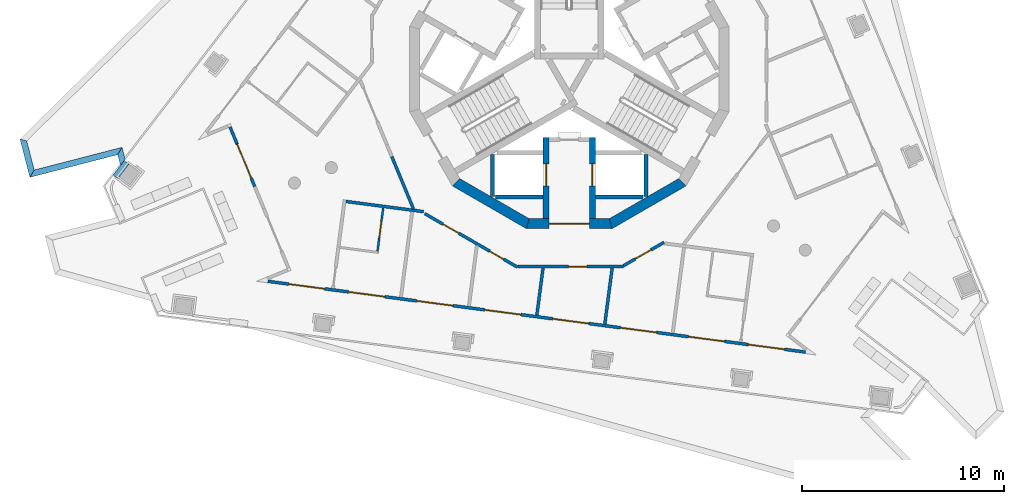
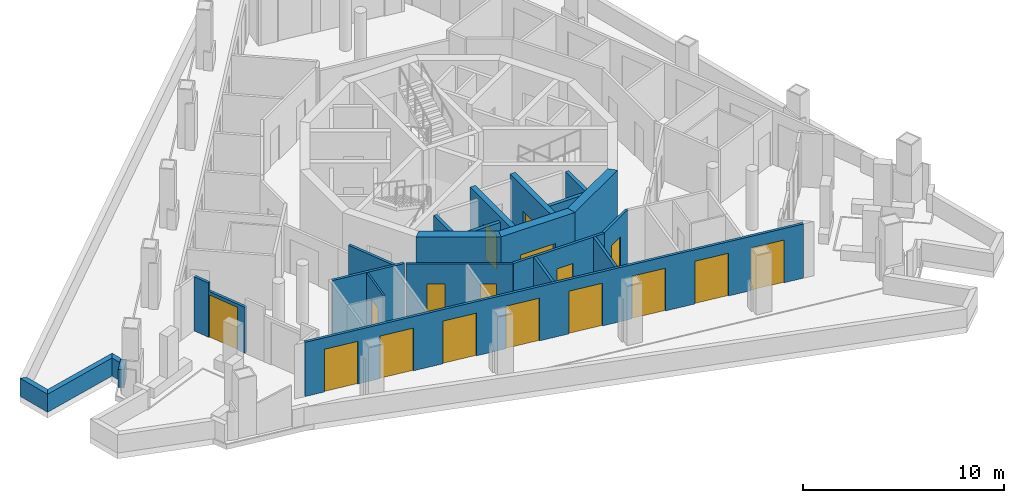
# One storey, part 2 of 12: 24 walls, 17 doors, 17 openings.
"""IFC4 building model written with IfcOpenShell, lengths in metres."""

from ifc_helpers import new_model, si_unit, direction, frame, frame_2d, origin, place, context, subcontext, project, spatial, polyline, rectangle, outline, extrude, material, layer, layer_set, type_object, element, fill, save


model = new_model("IFC4")

# Units and contexts
model_context = context("Model", 3, precision=1e-05, world=origin(), true_north=direction((0.0, 1.0)))
body_context = subcontext(model_context, "Body", "Model", "MODEL_VIEW")
ifc_project = project(units=[si_unit("LENGTHUNIT", "METRE"), si_unit("AREAUNIT", "SQUARE_METRE"), si_unit("VOLUMEUNIT", "CUBIC_METRE"), si_unit("PLANEANGLEUNIT", "RADIAN"), si_unit("MASSUNIT", "GRAM", prefix="KILO")], contexts=[model_context])

# Site, building, storey
site_placement = place(None, origin())
site = spatial("IfcSite", under=ifc_project, at=site_placement, CompositionType="ELEMENT")
building_placement = place(site_placement, origin())
building = spatial("IfcBuilding", under=site, at=building_placement, Name="Trine Commons Tower", CompositionType="ELEMENT")
storey_placement = place(building_placement, frame((0.0, 0.0, 271.800048828125)))
storey = spatial("IfcBuildingStorey", under=building, at=storey_placement, Name="L71", CompositionType="ELEMENT", Elevation=271.800048828125)

# Wall, openings, doors
ifc_material_1 = material(Name="Aluminium-framed insulated wall panel", Category="aluminium")
ifc_layer_1 = layer(ifc_material_1, 0.14990234375)
ifc_layer_set_1 = layer_set([ifc_layer_1], Name="Aluminium-framed insulated wall panel")
wall_type_1 = type_object("IfcWallType", Name="Glazed frame wall 150, EI 60", PredefinedType="SOLIDWALL", material=ifc_layer_set_1)
wall_1_placement = place(storey_placement, frame((91.869140625, 48.4384765625, 0.0), z_axis=(0.0, 0.0, 1.0), x_axis=(-0.991445282789, 0.130522991213, 0.0)))
wall_1 = element("IfcWall", 1, at=wall_1_placement, inside=storey, type_object=wall_type_1, Name="Glazed frame wall F3", PredefinedType="SOLIDWALL", context=body_context, shape_type="SweptSolid", body=[
    extrude(outline(polyline([(0.1494140625, 0.074951171875), (0.1494140625, -0.074951171875), (27.056884765625, -0.074951171875), (27.056884765625, 0.074951171875), (0.1494140625, 0.074951171875)])), origin(), (0.0, 0.0, 1.0), 3.300048828125),
])
opening_1_placement = place(wall_1_placement, frame((1.200439453125, 0.0, 0.0)))
opening_1 = element("IfcOpeningElement", 2, at=opening_1_placement, cuts=wall_1, Name="Opening BD-8F3-01", PredefinedType="OPENING", context=body_context, shape_type="SweptSolid", body=[
    extrude(rectangle(XDim=1.800048828125, YDim=2.60009765625, at=frame_2d((0.89990234375, 1.300048828125))), frame((0.0, 0.0849609375, 0.0), z_axis=(0.0, -1.0, 0.0), x_axis=(1.0, 0.0, 0.0)), (0.0, 0.0, 1.0), 0.169921875),
])
opening_2_placement = place(wall_1_placement, frame((4.201171875, 0.0, 0.0)))
opening_2 = element("IfcOpeningElement", 3, at=opening_2_placement, cuts=wall_1, Name="Opening BD-8F3-02", PredefinedType="OPENING", context=body_context, shape_type="SweptSolid", body=[
    extrude(rectangle(XDim=1.800048828125, YDim=2.60009765625, at=frame_2d((0.89990234375, 1.300048828125))), frame((0.0, 0.0849609375, 0.0), z_axis=(0.0, -1.0, 0.0), x_axis=(1.0, 0.0, 0.0)), (0.0, 0.0, 1.0), 0.169921875),
])
opening_3_placement = place(wall_1_placement, frame((7.60205078125, 0.0, 0.0)))
opening_3 = element("IfcOpeningElement", 4, at=opening_3_placement, cuts=wall_1, Name="Opening BD-8F3-03", PredefinedType="OPENING", context=body_context, shape_type="SweptSolid", body=[
    extrude(rectangle(XDim=1.800048828125, YDim=2.60009765625, at=frame_2d((0.89990234375, 1.300048828125))), frame((0.0, 0.0849609375, 0.0), z_axis=(0.0, -1.0, 0.0), x_axis=(1.0, 0.0, 0.0)), (0.0, 0.0, 1.0), 0.169921875),
])
opening_4_placement = place(wall_1_placement, frame((11.002685546875, 0.0, 0.0)))
opening_4 = element("IfcOpeningElement", 5, at=opening_4_placement, cuts=wall_1, Name="Opening BD-8F3-04", PredefinedType="OPENING", context=body_context, shape_type="SweptSolid", body=[
    extrude(rectangle(XDim=1.800048828125, YDim=2.60009765625, at=frame_2d((0.89990234375, 1.300048828125))), frame((0.0, 0.0849609375, 0.0), z_axis=(0.0, -1.0, 0.0), x_axis=(1.0, 0.0, 0.0)), (0.0, 0.0, 1.0), 0.169921875),
])
opening_5_placement = place(wall_1_placement, frame((14.403564453125, 0.0, 0.0)))
opening_5 = element("IfcOpeningElement", 6, at=opening_5_placement, cuts=wall_1, Name="Opening BD-8F3-05", PredefinedType="OPENING", context=body_context, shape_type="SweptSolid", body=[
    extrude(rectangle(XDim=1.800048828125, YDim=2.60009765625, at=frame_2d((0.89990234375, 1.300048828125))), frame((0.0, 0.0849609375, 0.0), z_axis=(0.0, -1.0, 0.0), x_axis=(1.0, 0.0, 0.0)), (0.0, 0.0, 1.0), 0.169921875),
])
opening_6_placement = place(wall_1_placement, frame((17.804443359375, 0.0, 0.0)))
opening_6 = element("IfcOpeningElement", 7, at=opening_6_placement, cuts=wall_1, Name="Opening BD-8F3-06", PredefinedType="OPENING", context=body_context, shape_type="SweptSolid", body=[
    extrude(rectangle(XDim=1.800048828125, YDim=2.60009765625, at=frame_2d((0.89990234375, 1.300048828125))), frame((0.0, 0.0849609375, 0.0), z_axis=(0.0, -1.0, 0.0), x_axis=(1.0, 0.0, 0.0)), (0.0, 0.0, 1.0), 0.169921875),
])
opening_7_placement = place(wall_1_placement, frame((21.205078125, 0.0, 0.0)))
opening_7 = element("IfcOpeningElement", 8, at=opening_7_placement, cuts=wall_1, Name="Opening BD-8F3-07", PredefinedType="OPENING", context=body_context, shape_type="SweptSolid", body=[
    extrude(rectangle(XDim=1.800048828125, YDim=2.60009765625, at=frame_2d((0.89990234375, 1.300048828125))), frame((0.0, 0.0849609375, 0.0), z_axis=(0.0, -1.0, 0.0), x_axis=(1.0, 0.0, 0.0)), (0.0, 0.0, 1.0), 0.169921875),
])
opening_8_placement = place(wall_1_placement, frame((24.2060546875, 0.0, 0.0)))
opening_8 = element("IfcOpeningElement", 9, at=opening_8_placement, cuts=wall_1, Name="Opening BD-8F3-08", PredefinedType="OPENING", context=body_context, shape_type="SweptSolid", body=[
    extrude(rectangle(XDim=1.800048828125, YDim=2.60009765625, at=frame_2d((0.89990234375, 1.300048828125))), frame((0.0, 0.0849609375, 0.0), z_axis=(0.0, -1.0, 0.0), x_axis=(1.0, 0.0, 0.0)), (0.0, 0.0, 1.0), 0.169921875),
])
ifc_material_2 = material(Name="Anodised aluminium frame with double glazing", Category="aluminium")
door_type_1 = type_object("IfcDoorType", Name="Sliding loggia door 1800x2600", OperationType="SLIDING_TO_LEFT", PredefinedType="DOOR", material=ifc_material_2)
door_1_placement = place(opening_1_placement, origin())
door_1 = element("IfcDoor", 10, at=door_1_placement, inside=storey, type_object=door_type_1, Name="Loggia door F3 1", OperationType="SLIDING_TO_LEFT", OverallHeight=2.60009765625, OverallWidth=1.800048828125, PredefinedType="DOOR", context=body_context, shape_type="SweptSolid", body=[
    extrude(rectangle(XDim=1.800048828125, YDim=2.60009765625, at=frame_2d((0.89990234375, 1.300048828125))), frame((0.0, 0.02490234375, 0.0), z_axis=(0.0, -1.0, 0.0), x_axis=(1.0, 0.0, 0.0)), (0.0, 0.0, 1.0), 0.050048828125),
])
fill(opening_1, door_1)
door_2_placement = place(opening_2_placement, origin())
door_2 = element("IfcDoor", 11, at=door_2_placement, inside=storey, type_object=door_type_1, Name="Loggia door F3 2", OperationType="SLIDING_TO_LEFT", OverallHeight=2.60009765625, OverallWidth=1.800048828125, PredefinedType="DOOR", context=body_context, shape_type="SweptSolid", body=[
    extrude(rectangle(XDim=1.800048828125, YDim=2.60009765625, at=frame_2d((0.89990234375, 1.300048828125))), frame((0.0, 0.02490234375, 0.0), z_axis=(0.0, -1.0, 0.0), x_axis=(1.0, 0.0, 0.0)), (0.0, 0.0, 1.0), 0.050048828125),
])
fill(opening_2, door_2)
door_3_placement = place(opening_3_placement, origin())
door_3 = element("IfcDoor", 12, at=door_3_placement, inside=storey, type_object=door_type_1, Name="Loggia door F3 3", OperationType="SLIDING_TO_LEFT", OverallHeight=2.60009765625, OverallWidth=1.800048828125, PredefinedType="DOOR", context=body_context, shape_type="SweptSolid", body=[
    extrude(rectangle(XDim=1.800048828125, YDim=2.60009765625, at=frame_2d((0.89990234375, 1.300048828125))), frame((0.0, 0.02490234375, 0.0), z_axis=(0.0, -1.0, 0.0), x_axis=(1.0, 0.0, 0.0)), (0.0, 0.0, 1.0), 0.050048828125),
])
fill(opening_3, door_3)
door_4_placement = place(opening_4_placement, origin())
door_4 = element("IfcDoor", 13, at=door_4_placement, inside=storey, type_object=door_type_1, Name="Loggia door F3 4", OperationType="SLIDING_TO_LEFT", OverallHeight=2.60009765625, OverallWidth=1.800048828125, PredefinedType="DOOR", context=body_context, shape_type="SweptSolid", body=[
    extrude(rectangle(XDim=1.800048828125, YDim=2.60009765625, at=frame_2d((0.89990234375, 1.300048828125))), frame((0.0, 0.02490234375, 0.0), z_axis=(0.0, -1.0, 0.0), x_axis=(1.0, 0.0, 0.0)), (0.0, 0.0, 1.0), 0.050048828125),
])
fill(opening_4, door_4)
door_5_placement = place(opening_5_placement, origin())
door_5 = element("IfcDoor", 14, at=door_5_placement, inside=storey, type_object=door_type_1, Name="Loggia door F3 5", OperationType="SLIDING_TO_LEFT", OverallHeight=2.60009765625, OverallWidth=1.800048828125, PredefinedType="DOOR", context=body_context, shape_type="SweptSolid", body=[
    extrude(rectangle(XDim=1.800048828125, YDim=2.60009765625, at=frame_2d((0.89990234375, 1.300048828125))), frame((0.0, 0.02490234375, 0.0), z_axis=(0.0, -1.0, 0.0), x_axis=(1.0, 0.0, 0.0)), (0.0, 0.0, 1.0), 0.050048828125),
])
fill(opening_5, door_5)
door_6_placement = place(opening_6_placement, origin())
door_6 = element("IfcDoor", 15, at=door_6_placement, inside=storey, type_object=door_type_1, Name="Loggia door F3 6", OperationType="SLIDING_TO_LEFT", OverallHeight=2.60009765625, OverallWidth=1.800048828125, PredefinedType="DOOR", context=body_context, shape_type="SweptSolid", body=[
    extrude(rectangle(XDim=1.800048828125, YDim=2.60009765625, at=frame_2d((0.89990234375, 1.300048828125))), frame((0.0, 0.02490234375, 0.0), z_axis=(0.0, -1.0, 0.0), x_axis=(1.0, 0.0, 0.0)), (0.0, 0.0, 1.0), 0.050048828125),
])
fill(opening_6, door_6)
door_7_placement = place(opening_7_placement, origin())
door_7 = element("IfcDoor", 16, at=door_7_placement, inside=storey, type_object=door_type_1, Name="Loggia door F3 7", OperationType="SLIDING_TO_LEFT", OverallHeight=2.60009765625, OverallWidth=1.800048828125, PredefinedType="DOOR", context=body_context, shape_type="SweptSolid", body=[
    extrude(rectangle(XDim=1.800048828125, YDim=2.60009765625, at=frame_2d((0.89990234375, 1.300048828125))), frame((0.0, 0.02490234375, 0.0), z_axis=(0.0, -1.0, 0.0), x_axis=(1.0, 0.0, 0.0)), (0.0, 0.0, 1.0), 0.050048828125),
])
fill(opening_7, door_7)
door_8_placement = place(opening_8_placement, origin())
door_8 = element("IfcDoor", 17, at=door_8_placement, inside=storey, type_object=door_type_1, Name="Loggia door F3 8", OperationType="SLIDING_TO_LEFT", OverallHeight=2.60009765625, OverallWidth=1.800048828125, PredefinedType="DOOR", context=body_context, shape_type="SweptSolid", body=[
    extrude(rectangle(XDim=1.800048828125, YDim=2.60009765625, at=frame_2d((0.89990234375, 1.300048828125))), frame((0.0, 0.02490234375, 0.0), z_axis=(0.0, -1.0, 0.0), x_axis=(1.0, 0.0, 0.0)), (0.0, 0.0, 1.0), 0.050048828125),
])
fill(opening_8, door_8)

# Wall, opening, door
wall_2_placement = place(storey_placement, frame((64.392578125, 56.673095703125, 0.0), z_axis=(0.0, 0.0, 1.0), x_axis=(-0.382693948857, 0.923875176368, 0.0)))
wall_2 = element("IfcWall", 18, at=wall_2_placement, inside=storey, type_object=wall_type_1, Name="Glazed frame wall P3.4", PredefinedType="SOLIDWALL", context=body_context, shape_type="SweptSolid", body=[
    extrude(outline(polyline([(0.0, -0.074951171875), (2.310546875, -0.074951171875), (2.310546875, 0.074951171875), (0.0, 0.074951171875), (0.0, -0.074951171875)])), origin(), (0.0, 0.0, 1.0), 2.800048828125),
])
opening_9_placement = place(wall_2_placement, frame((0.460693359375, 0.0, 0.0)))
opening_9 = element("IfcOpeningElement", 19, at=opening_9_placement, cuts=wall_2, Name="Opening BD-8P3-02", PredefinedType="OPENING", context=body_context, shape_type="SweptSolid", body=[
    extrude(rectangle(XDim=1.800048828125, YDim=2.60009765625, at=frame_2d((0.89990234375, 1.300048828125))), frame((0.0, 0.0849609375, 0.0), z_axis=(0.0, -1.0, 0.0), x_axis=(1.0, 0.0, 0.0)), (0.0, 0.0, 1.0), 0.169921875),
])
door_9_placement = place(opening_9_placement, origin())
door_9 = element("IfcDoor", 20, at=door_9_placement, inside=storey, type_object=door_type_1, Name="Loggia door P3 2", OperationType="SLIDING_TO_LEFT", OverallHeight=2.60009765625, OverallWidth=1.800048828125, PredefinedType="DOOR", context=body_context, shape_type="SweptSolid", body=[
    extrude(rectangle(XDim=1.800048828125, YDim=2.60009765625, at=frame_2d((0.89990234375, 1.300048828125))), frame((0.0, 0.02490234375, 0.0), z_axis=(0.0, -1.0, 0.0), x_axis=(1.0, 0.0, 0.0)), (0.0, 0.0, 1.0), 0.050048828125),
])
fill(opening_9, door_9)

# Wall
wall_3_placement = place(storey_placement, frame((63.50830078125, 58.807861328125, 0.0), z_axis=(0.0, 0.0, 1.0), x_axis=(-0.382603377961, 0.923912688068, 0.0)))
element("IfcWall", 21, at=wall_3_placement, inside=storey, type_object=wall_type_1, Name="Glazed frame wall P3.5", PredefinedType="SOLIDWALL", context=body_context, shape_type="SweptSolid", body=[
    extrude(outline(polyline([(0.889892578125, 0.074951171875), (0.0, 0.074951171875), (0.0, -0.074951171875), (0.889892578125, -0.074951171875), (0.889892578125, 0.074951171875)])), origin(), (0.0, 0.0, 1.0), 3.300048828125),
])

# Wall, opening, door
ifc_material_3 = material(Name="Concrete C50/60", Category="concrete")
ifc_layer_2 = layer(ifc_material_3, 0.300048828125)
ifc_layer_set_2 = layer_set([ifc_layer_2], Name="Concrete C50/60")
wall_type_2 = type_object("IfcWallType", Name="RC shear wall 300 mm, C50/60", PredefinedType="SHEAR", material=ifc_layer_set_2)
wall_4_placement = place(storey_placement, frame((78.85009765625, 59.10009765625, 0.0), z_axis=(0.0, 0.0, 1.0), x_axis=(0.0, -1.0, 0.0)))
wall_4 = element("IfcWall", 22, at=wall_4_placement, inside=storey, type_object=wall_type_2, Name="Core cross wall SWD-03 L71", PredefinedType="SHEAR", context=body_context, shape_type="SweptSolid", body=[
    extrude(rectangle(XDim=4.02099609375, YDim=0.300048828125, at=frame_2d((2.010498046875, 0.0))), origin(), (0.0, 0.0, 1.0), 3.599853515625),
])
opening_10_placement = place(wall_4_placement, frame((1.300048828125, 0.0, 0.0)))
opening_10 = element("IfcOpeningElement", 23, at=opening_10_placement, cuts=wall_4, Name="Opening LD10", PredefinedType="OPENING", context=body_context, shape_type="SweptSolid", body=[
    extrude(rectangle(XDim=1.10009765625, YDim=2.10009765625, at=frame_2d((0.550048828125, 1.050048828125))), frame((0.0, 0.159912109375, 0.0), z_axis=(0.0, -1.0, 0.0), x_axis=(1.0, 0.0, 0.0)), (0.0, 0.0, 1.0), 0.320068359375),
])
ifc_material_4 = material(Name="Stainless steel sliding door leaves", Category="steel")
door_type_2 = type_object("IfcDoorType", Name="Lift landing door, centre-opening sliding 1100 x 2100, FD90", OperationType="DOUBLE_DOOR_SLIDING", PredefinedType="DOOR", material=ifc_material_4)
door_10_placement = place(opening_10_placement, origin())
door_10 = element("IfcDoor", 24, at=door_10_placement, inside=storey, type_object=door_type_2, Name="Lift landing door FF2 L71", OperationType="DOUBLE_DOOR_SLIDING", OverallHeight=2.10009765625, OverallWidth=1.10009765625, PredefinedType="DOOR", context=body_context, shape_type="SweptSolid", body=[
    extrude(rectangle(XDim=1.10009765625, YDim=2.10009765625, at=frame_2d((0.550048828125, 1.050048828125))), frame((0.0, 0.02490234375, 0.0), z_axis=(0.0, -1.0, 0.0), x_axis=(1.0, 0.0, 0.0)), (0.0, 0.0, 1.0), 0.050048828125),
])
fill(opening_10, door_10)

wall_5_placement = place(storey_placement, frame((81.14990234375, 59.10009765625, 0.0), z_axis=(0.0, 0.0, 1.0), x_axis=(0.0, -1.0, 0.0)))
wall_5 = element("IfcWall", 25, at=wall_5_placement, inside=storey, type_object=wall_type_2, Name="Core cross wall SWD-04 L71", PredefinedType="SHEAR", context=body_context, shape_type="SweptSolid", body=[
    extrude(rectangle(XDim=4.02099609375, YDim=0.300048828125, at=frame_2d((2.010498046875, 0.0))), origin(), (0.0, 0.0, 1.0), 3.599853515625),
])
opening_11_placement = place(wall_5_placement, frame((1.300048828125, 0.0, 0.0)))
opening_11 = element("IfcOpeningElement", 26, at=opening_11_placement, cuts=wall_5, Name="Opening LD9", PredefinedType="OPENING", context=body_context, shape_type="SweptSolid", body=[
    extrude(rectangle(XDim=1.10009765625, YDim=2.10009765625, at=frame_2d((0.550048828125, 1.050048828125))), frame((0.0, 0.159912109375, 0.0), z_axis=(0.0, -1.0, 0.0), x_axis=(1.0, 0.0, 0.0)), (0.0, 0.0, 1.0), 0.320068359375),
])
door_11_placement = place(opening_11_placement, origin())
door_11 = element("IfcDoor", 27, at=door_11_placement, inside=storey, type_object=door_type_2, Name="Lift landing door FF1 L71", OperationType="DOUBLE_DOOR_SLIDING", OverallHeight=2.10009765625, OverallWidth=1.10009765625, PredefinedType="DOOR", context=body_context, shape_type="SweptSolid", body=[
    extrude(rectangle(XDim=1.10009765625, YDim=2.10009765625, at=frame_2d((0.550048828125, 1.050048828125))), frame((0.0, 0.02490234375, 0.0), z_axis=(0.0, -1.0, 0.0), x_axis=(1.0, 0.0, 0.0)), (0.0, 0.0, 1.0), 0.050048828125),
])
fill(opening_11, door_11)

# Wall
ifc_layer_3 = layer(ifc_material_3, 0.5)
ifc_layer_set_3 = layer_set([ifc_layer_3], Name="Concrete C50/60")
wall_type_3 = type_object("IfcWallType", Name="RC shear wall 500 mm, C50/60", PredefinedType="SHEAR", material=ifc_layer_set_3)
wall_6_placement = place(storey_placement, frame((74.32666015625, 56.918212890625, 0.0), z_axis=(0.0, 0.0, 1.0), x_axis=(0.866029463428, -0.499992968425, 0.0)))
element("IfcWall", 28, at=wall_6_placement, inside=storey, type_object=wall_type_3, Name="Core wall CWH-09 L71", PredefinedType="SHEAR", context=body_context, shape_type="SweptSolid", body=[
    extrude(outline(polyline([(0.0, -0.25), (4.24462890625, -0.25), (4.110595703125, 0.25), (0.134033203125, 0.25), (0.0, -0.25)])), origin(), (0.0, 0.0, 1.0), 3.599853515625),
])

# Wall, opening, door
wall_7_placement = place(storey_placement, frame((77.877685546875, 54.829345703125, 0.0), z_axis=(0.0, 0.0, 1.0), x_axis=(1.0, 0.0, 0.0)))
wall_7 = element("IfcWall", 29, at=wall_7_placement, inside=storey, type_object=wall_type_3, Name="Core wall CWH-10 L71", PredefinedType="SHEAR", context=body_context, shape_type="SweptSolid", body=[
    extrude(outline(polyline([(0.0, -0.25), (4.24462890625, -0.25), (4.110595703125, 0.25), (0.134033203125, 0.25), (0.0, -0.25)])), origin(), (0.0, 0.0, 1.0), 3.599853515625),
])
opening_12_placement = place(wall_7_placement, frame((1.122314453125, 0.0, 0.0)))
opening_12 = element("IfcOpeningElement", 30, at=opening_12_placement, cuts=wall_7, Name="Opening K19.08", PredefinedType="OPENING", context=body_context, shape_type="SweptSolid", body=[
    extrude(rectangle(XDim=2.0, YDim=2.10009765625, at=frame_2d((1.0, 1.050048828125))), frame((0.0, 0.260009765625, 0.0), z_axis=(0.0, -1.0, 0.0), x_axis=(1.0, 0.0, 0.0)), (0.0, 0.0, 1.0), 0.52001953125),
])
ifc_material_5 = material(Name="Steel door leaves, fire-rated", Category="steel")
door_type_3 = type_object("IfcDoorType", Name="Lobby door, double leaf 2000 x 2100, FD60", OperationType="DOUBLE_DOOR_SINGLE_SWING", PredefinedType="DOOR", material=ifc_material_5)
door_12_placement = place(opening_12_placement, origin())
door_12 = element("IfcDoor", 31, at=door_12_placement, inside=storey, type_object=door_type_3, Name="Lobby door, Service and firefighting lobby L71", OperationType="DOUBLE_DOOR_SINGLE_SWING", OverallHeight=2.10009765625, OverallWidth=2.0, PredefinedType="DOOR", context=body_context, shape_type="SweptSolid", body=[
    extrude(rectangle(XDim=2.0, YDim=2.10009765625, at=frame_2d((1.0, 1.050048828125))), frame((0.0, 0.02490234375, 0.0), z_axis=(0.0, -1.0, 0.0), x_axis=(1.0, 0.0, 0.0)), (0.0, 0.0, 1.0), 0.050048828125),
])
fill(opening_12, door_12)

# Walls
wall_8_placement = place(storey_placement, frame((81.997314453125, 54.7958984375, 0.0), z_axis=(0.0, 0.0, 1.0), x_axis=(0.866029463428, 0.499992968425, 0.0)))
element("IfcWall", 32, at=wall_8_placement, inside=storey, type_object=wall_type_3, Name="Core wall CWH-11 L71", PredefinedType="SHEAR", context=body_context, shape_type="SweptSolid", body=[
    extrude(outline(polyline([(0.0, -0.25), (4.24462890625, -0.25), (4.110595703125, 0.25), (0.134033203125, 0.25), (0.0, -0.25)])), origin(), (0.0, 0.0, 1.0), 3.599853515625),
])
ifc_material_6 = material(Name="Fire-rated gypsum shaft wall system")
ifc_layer_4 = layer(ifc_material_6, 0.199951171875)
ifc_layer_set_4 = layer_set([ifc_layer_4], Name="Fire-rated gypsum shaft wall system")
wall_type_4 = type_object("IfcWallType", Name="Shaft wall 200 mm, EI 120", PredefinedType="PARTITIONING", material=ifc_layer_set_4)
wall_9_placement = place(storey_placement, frame((76.199951171875, 58.257080078125, 0.0), z_axis=(0.0, 0.0, 1.0), x_axis=(0.0, -1.0, 0.0)))
element("IfcWall", 33, at=wall_9_placement, inside=storey, type_object=wall_type_4, Name="Shaft wall L71", PredefinedType="PARTITIONING", context=body_context, shape_type="SweptSolid", body=[
    extrude(rectangle(XDim=2.073974609375, YDim=0.199951171875, at=frame_2d((1.037109375, 0.0))), origin(), (0.0, 0.0, 1.0), 3.300048828125),
])
for number, where, z_axis, x_axis, name in (
    (34, (78.699951171875, 56.14990234375, 0.0), (0.0, 0.0, 1.0), (-1.0, 0.0, 0.0), "Shaft wall L71"),
    (35, (81.300048828125, 56.14990234375, 0.0), (0.0, 0.0, 1.0), (1.0, 0.0, 0.0), "Shaft wall L71"),
):
    element("IfcWall", number, at=place(storey_placement, frame(where, z_axis=z_axis, x_axis=x_axis)), inside=storey, type_object=wall_type_4, Name=name, PredefinedType="PARTITIONING", context=body_context, shape_type="SweptSolid", body=[
        extrude(rectangle(XDim=2.368896484375, YDim=0.199951171875, at=frame_2d((1.1845703125, 0.0))), origin(), (0.0, 0.0, 1.0), 3.300048828125),
    ])
wall_10_placement = place(storey_placement, frame((83.800048828125, 58.257080078125, 0.0), z_axis=(0.0, 0.0, 1.0), x_axis=(0.0, -1.0, 0.0)))
element("IfcWall", 36, at=wall_10_placement, inside=storey, type_object=wall_type_4, Name="Shaft wall L71", PredefinedType="PARTITIONING", context=body_context, shape_type="SweptSolid", body=[
    extrude(rectangle(XDim=2.073974609375, YDim=0.199951171875, at=frame_2d((1.037109375, 0.0))), origin(), (0.0, 0.0, 1.0), 3.300048828125),
])
ifc_material_7 = material(Name="Limestone, honed", Category="masonry")
ifc_layer_5 = layer(ifc_material_7, 0.300048828125)
ifc_layer_set_5 = layer_set([ifc_layer_5], Name="Limestone, honed")
wall_type_5 = type_object("IfcWallType", Name="Stone parapet 300", PredefinedType="PARAPET", material=ifc_layer_set_5)
wall_11_placement = place(storey_placement, origin())
element("IfcWall", 37, at=wall_11_placement, inside=storey, type_object=wall_type_5, Name="Sliver roof parapet L70 2.2", PredefinedType="PARAPET", context=body_context, shape_type="SweptSolid", body=[
    extrude(outline(polyline([(52.745361328125, 59.029541015625), (53.2373046875, 57.1279296875), (53.452392578125, 57.49365234375), (53.0791015625, 58.93701171875), (52.745361328125, 59.029541015625)])), origin(), (0.0, 0.0, 1.0), 1.099853515625),
])
wall_12_placement = place(storey_placement, origin())
element("IfcWall", 38, at=wall_12_placement, inside=storey, type_object=wall_type_5, Name="Sliver roof parapet L70 2.3", PredefinedType="PARAPET", context=body_context, shape_type="SweptSolid", body=[
    extrude(outline(polyline([(53.2373046875, 57.1279296875), (57.593994140625, 58.254638671875), (57.809326171875, 58.620361328125), (53.452392578125, 57.49365234375), (53.2373046875, 57.1279296875)])), origin(), (0.0, 0.0, 1.0), 1.099853515625),
])
wall_13_placement = place(storey_placement, origin())
element("IfcWall", 39, at=wall_13_placement, inside=storey, type_object=wall_type_5, Name="Sliver roof parapet L70 2.4", PredefinedType="PARAPET", context=body_context, shape_type="SweptSolid", body=[
    extrude(outline(polyline([(57.593994140625, 58.254638671875), (57.73193359375, 57.720703125), (57.963623046875, 58.02294921875), (57.809326171875, 58.620361328125), (57.593994140625, 58.254638671875)])), origin(), (0.0, 0.0, 1.0), 1.099853515625),
])
wall_14_placement = place(storey_placement, origin())
element("IfcWall", 40, at=wall_14_placement, inside=storey, type_object=wall_type_5, Name="Sliver roof parapet extension L70 2.X2", PredefinedType="PARAPET", context=body_context, shape_type="SweptSolid", body=[
    extrude(outline(polyline([(58.152587890625, 57.776123046875), (57.91455078125, 57.958740234375), (57.36669921875, 57.244873046875), (57.604736328125, 57.062255859375), (58.152587890625, 57.776123046875)])), origin(), (0.0, 0.0, 1.0), 1.099853515625),
])
ifc_material_8 = material(Name="Gypsum plasterboard on steel stud", Category="steel")
ifc_layer_6 = layer(ifc_material_8, 0.14990234375)
ifc_layer_set_6 = layer_set([ifc_layer_6], Name="Gypsum plasterboard on steel stud")
wall_type_6 = type_object("IfcWallType", Name="Unit and corridor wall 150 mm, EI 60", PredefinedType="PARTITIONING", material=ifc_layer_set_6)
wall_15_placement = place(storey_placement, frame((68.92041015625, 55.93310546875, 0.0), z_axis=(0.0, 0.0, 1.0), x_axis=(0.991448734514, -0.130496769429, 0.0)))
element("IfcWall", 41, at=wall_15_placement, inside=storey, type_object=wall_type_6, Name="Partition 010", PredefinedType="PARTITIONING", context=body_context, shape_type="SweptSolid", body=[
    extrude(rectangle(XDim=3.8857421875, YDim=0.14990234375, at=frame_2d((1.94287109375, 0.0))), origin(), (0.0, 0.0, 1.0), 3.300048828125),
])
wall_16_placement = place(storey_placement, frame((71.196044921875, 58.157958984375, 0.0), z_axis=(0.0, 0.0, 1.0), x_axis=(0.382668413767, -0.923885753275, 0.0)))
element("IfcWall", 42, at=wall_16_placement, inside=storey, type_object=wall_type_6, Name="Partition 019", PredefinedType="PARTITIONING", context=body_context, shape_type="SweptSolid", body=[
    extrude(rectangle(XDim=2.81494140625, YDim=0.14990234375, at=frame_2d((1.407470703125, 0.0))), origin(), (0.0, 0.0, 1.0), 3.300048828125),
])

# Wall, openings, doors
wall_17_placement = place(storey_placement, frame((72.8291015625, 55.3291015625, 0.0), z_axis=(0.0, 0.0, 1.0), x_axis=(0.865982457891, -0.500074377092, 0.0)))
wall_17 = element("IfcWall", 43, at=wall_17_placement, inside=storey, type_object=wall_type_6, Name="Partition 023", PredefinedType="PARTITIONING", context=body_context, shape_type="SweptSolid", body=[
    extrude(rectangle(XDim=5.324462890625, YDim=0.14990234375, at=frame_2d((2.662109375, 0.0))), origin(), (0.0, 0.0, 1.0), 3.300048828125),
])
opening_13_placement = place(wall_17_placement, frame((3.72509765625, 0.0, 0.0)))
opening_13 = element("IfcOpeningElement", 44, at=opening_13_placement, cuts=wall_17, Name="Opening D-8A17", PredefinedType="OPENING", context=body_context, shape_type="SweptSolid", body=[
    extrude(rectangle(XDim=0.800048828125, YDim=2.10009765625, at=frame_2d((0.39990234375, 1.050048828125))), frame((0.0, 0.0849609375, 0.0), z_axis=(0.0, -1.0, 0.0), x_axis=(1.0, 0.0, 0.0)), (0.0, 0.0, 1.0), 0.169921875),
])
opening_14_placement = place(wall_17_placement, frame((1.05029296875, 0.0, 0.0)))
opening_14 = element("IfcOpeningElement", 45, at=opening_14_placement, cuts=wall_17, Name="Opening D-8A18", PredefinedType="OPENING", context=body_context, shape_type="SweptSolid", body=[
    extrude(rectangle(XDim=0.89990234375, YDim=2.10009765625, at=frame_2d((0.449951171875, 1.050048828125))), frame((0.0, 0.0849609375, 0.0), z_axis=(0.0, -1.0, 0.0), x_axis=(1.0, 0.0, 0.0)), (0.0, 0.0, 1.0), 0.169921875),
])
ifc_material_9 = material(Name="Timber fire door set", Category="wood")
door_type_4 = type_object("IfcDoorType", Name="Service door 900 x 2100, FD30S", OperationType="NOTDEFINED", PredefinedType="DOOR", material=ifc_material_9)
door_13_placement = place(opening_14_placement, frame((0.89990234375, 0.0, 0.0), z_axis=(0.0, 0.0, 1.0), x_axis=(-1.0, 0.0, 0.0)))
door_13 = element("IfcDoor", 46, at=door_13_placement, inside=storey, type_object=door_type_4, Name="Door D-8A18", OperationType="SINGLE_SWING_RIGHT", OverallHeight=2.10009765625, OverallWidth=0.89990234375, PredefinedType="DOOR", context=body_context, shape_type="SweptSolid", body=[
    extrude(rectangle(XDim=0.89990234375, YDim=2.10009765625, at=frame_2d((0.449951171875, 1.050048828125))), frame((0.0, 0.02490234375, 0.0), z_axis=(0.0, -1.0, 0.0), x_axis=(1.0, 0.0, 0.0)), (0.0, 0.0, 1.0), 0.050048828125),
])
fill(opening_14, door_13)
ifc_material_10 = material(Name="Painted timber", Category="wood")
door_type_5 = type_object("IfcDoorType", Name="Toilet door 800 x 2100, NOT RATED", OperationType="NOTDEFINED", PredefinedType="DOOR", material=ifc_material_10)
door_14_placement = place(opening_13_placement, frame((0.800048828125, 0.0, 0.0), z_axis=(0.0, 0.0, 1.0), x_axis=(-1.0, 0.0, 0.0)))
door_14 = element("IfcDoor", 47, at=door_14_placement, inside=storey, type_object=door_type_5, Name="Door D-8A17", OperationType="SINGLE_SWING_LEFT", OverallHeight=2.10009765625, OverallWidth=0.800048828125, PredefinedType="DOOR", context=body_context, shape_type="SweptSolid", body=[
    extrude(rectangle(XDim=0.800048828125, YDim=2.10009765625, at=frame_2d((0.39990234375, 1.050048828125))), frame((0.0, 0.02490234375, 0.0), z_axis=(0.0, -1.0, 0.0), x_axis=(1.0, 0.0, 0.0)), (0.0, 0.0, 1.0), 0.050048828125),
])
fill(opening_13, door_14)

# Wall, opening, door
wall_18_placement = place(storey_placement, frame((77.449951171875, 52.7041015625, 0.0), z_axis=(0.0, 0.0, 1.0), x_axis=(1.0, 0.0, 0.0)))
wall_18 = element("IfcWall", 48, at=wall_18_placement, inside=storey, type_object=wall_type_6, Name="Partition 027", PredefinedType="PARTITIONING", context=body_context, shape_type="SweptSolid", body=[
    extrude(rectangle(XDim=5.25, YDim=0.14990234375, at=frame_2d((2.625, 0.0))), origin(), (0.0, 0.0, 1.0), 3.300048828125),
])
opening_15_placement = place(wall_18_placement, frame((2.52490234375, 0.0, 0.0)))
opening_15 = element("IfcOpeningElement", 49, at=opening_15_placement, cuts=wall_18, Name="Opening D-8A16", PredefinedType="OPENING", context=body_context, shape_type="SweptSolid", body=[
    extrude(rectangle(XDim=0.89990234375, YDim=2.10009765625, at=frame_2d((0.449951171875, 1.050048828125))), frame((0.0, 0.0849609375, 0.0), z_axis=(0.0, -1.0, 0.0), x_axis=(1.0, 0.0, 0.0)), (0.0, 0.0, 1.0), 0.169921875),
])
door_15_placement = place(opening_15_placement, frame((0.89990234375, 0.0, 0.0), z_axis=(0.0, 0.0, 1.0), x_axis=(-1.0, 0.0, 0.0)))
door_15 = element("IfcDoor", 50, at=door_15_placement, inside=storey, type_object=door_type_4, Name="Door D-8A16", OperationType="SINGLE_SWING_LEFT", OverallHeight=2.10009765625, OverallWidth=0.89990234375, PredefinedType="DOOR", context=body_context, shape_type="SweptSolid", body=[
    extrude(rectangle(XDim=0.89990234375, YDim=2.10009765625, at=frame_2d((0.449951171875, 1.050048828125))), frame((0.0, 0.02490234375, 0.0), z_axis=(0.0, -1.0, 0.0), x_axis=(1.0, 0.0, 0.0)), (0.0, 0.0, 1.0), 0.050048828125),
])
fill(opening_15, door_15)

# Walls
wall_19_placement = place(storey_placement, frame((78.39208984375, 50.288818359375, 0.0), z_axis=(0.0, 0.0, 1.0), x_axis=(0.130497310501, 0.991448663296, 0.0)))
element("IfcWall", 51, at=wall_19_placement, inside=storey, type_object=wall_type_6, Name="Partition 030", PredefinedType="PARTITIONING", context=body_context, shape_type="SweptSolid", body=[
    extrude(rectangle(XDim=2.361083984375, YDim=0.14990234375, at=frame_2d((1.1806640625, 0.0))), origin(), (0.0, 0.0, 1.0), 3.300048828125),
])
wall_20_placement = place(storey_placement, frame((81.76416015625, 49.8447265625, 0.0), z_axis=(0.0, 0.0, 1.0), x_axis=(0.130290377986, 0.991475878377, 0.0)))
element("IfcWall", 52, at=wall_20_placement, inside=storey, type_object=wall_type_6, Name="Partition 031", PredefinedType="PARTITIONING", context=body_context, shape_type="SweptSolid", body=[
    extrude(rectangle(XDim=2.808837890625, YDim=0.14990234375, at=frame_2d((1.404296875, 0.0))), origin(), (0.0, 0.0, 1.0), 3.300048828125),
])

# Wall, opening, door
wall_21_placement = place(storey_placement, frame((82.68994140625, 52.741455078125, 0.0), z_axis=(0.0, 0.0, 1.0), x_axis=(0.865980532278, 0.500077711676, 0.0)))
wall_21 = element("IfcWall", 53, at=wall_21_placement, inside=storey, type_object=wall_type_6, Name="Partition 032", PredefinedType="PARTITIONING", context=body_context, shape_type="SweptSolid", body=[
    extrude(rectangle(XDim=2.320068359375, YDim=0.14990234375, at=frame_2d((1.16015625, 0.0))), origin(), (0.0, 0.0, 1.0), 3.300048828125),
])
opening_16_placement = place(wall_21_placement, frame((0.672607421875, 0.0, 0.0)))
opening_16 = element("IfcOpeningElement", 54, at=opening_16_placement, cuts=wall_21, Name="Opening D-8A15", PredefinedType="OPENING", context=body_context, shape_type="SweptSolid", body=[
    extrude(rectangle(XDim=0.89990234375, YDim=2.10009765625, at=frame_2d((0.449951171875, 1.050048828125))), frame((0.0, 0.0849609375, 0.0), z_axis=(0.0, -1.0, 0.0), x_axis=(1.0, 0.0, 0.0)), (0.0, 0.0, 1.0), 0.169921875),
])
door_16_placement = place(opening_16_placement, frame((0.89990234375, 0.0, 0.0), z_axis=(0.0, 0.0, 1.0), x_axis=(-1.0, 0.0, 0.0)))
door_16 = element("IfcDoor", 55, at=door_16_placement, inside=storey, type_object=door_type_4, Name="Door D-8A15", OperationType="SINGLE_SWING_RIGHT", OverallHeight=2.10009765625, OverallWidth=0.89990234375, PredefinedType="DOOR", context=body_context, shape_type="SweptSolid", body=[
    extrude(rectangle(XDim=0.89990234375, YDim=2.10009765625, at=frame_2d((0.449951171875, 1.050048828125))), frame((0.0, 0.02490234375, 0.0), z_axis=(0.0, -1.0, 0.0), x_axis=(1.0, 0.0, 0.0)), (0.0, 0.0, 1.0), 0.050048828125),
])
fill(opening_16, door_16)

ifc_layer_7 = layer(ifc_material_8, 0.10009765625)
ifc_layer_set_7 = layer_set([ifc_layer_7], Name="Gypsum plasterboard on steel stud")
wall_type_7 = type_object("IfcWallType", Name="Unit partition 100 mm, no rating", PredefinedType="PARTITIONING", material=ifc_layer_set_7)
wall_22_placement = place(storey_placement, frame((70.485595703125, 53.45751953125, 0.0), z_axis=(0.0, 0.0, 1.0), x_axis=(0.130457416757, 0.991453913409, 0.0)))
wall_22 = element("IfcWall", 56, at=wall_22_placement, inside=storey, type_object=wall_type_7, Name="Partition 017", PredefinedType="PARTITIONING", context=body_context, shape_type="SweptSolid", body=[
    extrude(rectangle(XDim=2.174560546875, YDim=0.10009765625, at=frame_2d((1.08740234375, 0.0))), origin(), (0.0, 0.0, 1.0), 3.300048828125),
])
opening_17_placement = place(wall_22_placement, frame((0.687255859375, 0.0, 0.0)))
opening_17 = element("IfcOpeningElement", 57, at=opening_17_placement, cuts=wall_22, Name="Opening D-8A23", PredefinedType="OPENING", context=body_context, shape_type="SweptSolid", body=[
    extrude(rectangle(XDim=0.800048828125, YDim=2.10009765625, at=frame_2d((0.39990234375, 1.050048828125))), frame((0.0, 0.06005859375, 0.0), z_axis=(0.0, -1.0, 0.0), x_axis=(1.0, 0.0, 0.0)), (0.0, 0.0, 1.0), 0.1201171875),
])
door_type_6 = type_object("IfcDoorType", Name="Internal door 800 x 2100, NOT RATED", OperationType="NOTDEFINED", PredefinedType="DOOR", material=ifc_material_10)
door_17_placement = place(opening_17_placement, frame((0.800048828125, 0.0, 0.0), z_axis=(0.0, 0.0, 1.0), x_axis=(-1.0, 0.0, 0.0)))
door_17 = element("IfcDoor", 58, at=door_17_placement, inside=storey, type_object=door_type_6, Name="Door D-8A23", OperationType="SINGLE_SWING_RIGHT", OverallHeight=2.10009765625, OverallWidth=0.800048828125, PredefinedType="DOOR", context=body_context, shape_type="SweptSolid", body=[
    extrude(rectangle(XDim=0.800048828125, YDim=2.10009765625, at=frame_2d((0.39990234375, 1.050048828125))), frame((0.0, 0.02490234375, 0.0), z_axis=(0.0, -1.0, 0.0), x_axis=(1.0, 0.0, 0.0)), (0.0, 0.0, 1.0), 0.050048828125),
])
fill(opening_17, door_17)

save(model, "model.ifc")
